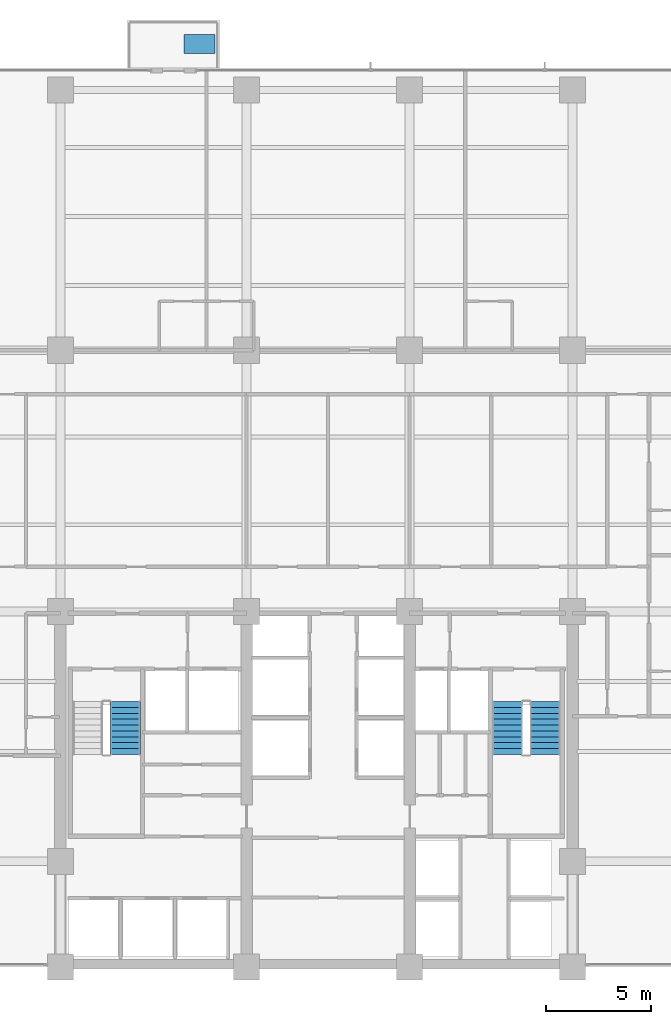
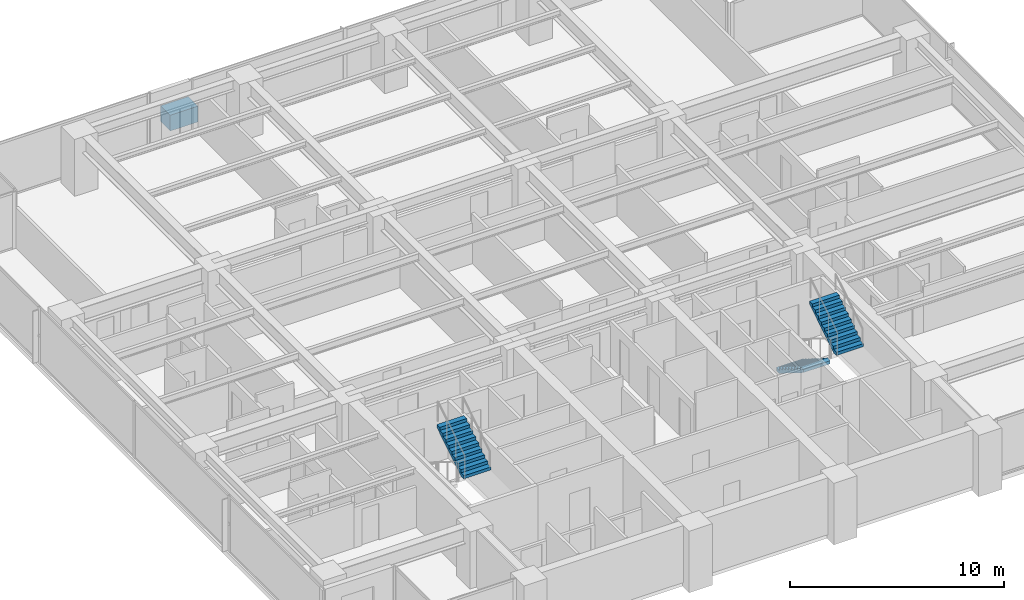
# One storey, part 12 of 17: 3 stair flights, 1 discrete accessory, 2 elements without a shape of their own.
"""IFC4 building model written with IfcOpenShell, lengths in metres."""

from ifc_helpers import new_model, si_unit, direction, frame, origin, place, context, subcontext, project, spatial, polyline, outline, extrude, material, layer, layer_set, type_object, element, aggregate, save


model = new_model("IFC4")

# Units and contexts
model_context = context("Model", 3, precision=1e-05, world=origin(), true_north=direction((0.0, 1.0)))
body_context = subcontext(model_context, "Body", "Model", "MODEL_VIEW")
ifc_project = project(units=[si_unit("LENGTHUNIT", "METRE"), si_unit("AREAUNIT", "SQUARE_METRE"), si_unit("VOLUMEUNIT", "CUBIC_METRE"), si_unit("PLANEANGLEUNIT", "RADIAN"), si_unit("MASSUNIT", "GRAM", prefix="KILO")], contexts=[model_context])

# Site, building, storey
site_placement = place(None, origin())
site = spatial("IfcSite", under=ifc_project, at=site_placement, CompositionType="ELEMENT")
building_placement = place(site_placement, origin())
building = spatial("IfcBuilding", under=site, at=building_placement, Name="Qalmaran Belvedere Hotel", CompositionType="ELEMENT")
storey_placement = place(building_placement, frame((0.0, 0.0, 116.199951171875)))
storey = spatial("IfcBuildingStorey", under=building, at=storey_placement, Name="L29", CompositionType="ELEMENT", Elevation=116.199951171875)

# Stair, stair flight
ifc_material = material(Name="Concrete C40/50", Category="concrete")
stair_type_1 = type_object("IfcStairType", Name="STR-ST-1-1450-R1750", PredefinedType="HALF_TURN_STAIR", material=ifc_material)
stair_1_placement = place(storey_placement, origin())
stair_1 = element("IfcStair", 1, at=stair_1_placement, inside=storey, type_object=stair_type_1, Name="L29 West Core Exit Stair ST-1", PredefinedType="HALF_TURN_STAIR")
ifc_layer_1 = layer(ifc_material, 0.14990234375, Name="Concrete C40/50")
ifc_layer_set_1 = layer_set([ifc_layer_1], Name="Concrete C40/50")
stair_flight_type_1 = type_object("IfcStairFlightType", Name="STF-ST-1-1450-R1750", PredefinedType="STRAIGHT", material=ifc_layer_set_1)
stair_flight_1_placement = place(storey_placement, frame((23.39501953125, 13.669921875, 1.75), z_axis=(0.0, 0.0, 1.0), x_axis=(0.0, 1.0, 0.0)))
stair_flight_1 = element("IfcStairFlight", 2, at=stair_flight_1_placement, type_object=stair_flight_type_1, Name="ST-1 flight 2", NumberOfRisers=10, NumberOfTreads=9, PredefinedType="STRAIGHT", RiserHeight=0.175, TreadLength=0.28, context=body_context, shape_type="SweptSolid", body=[
    extrude(outline(polyline([(0.0, 0.0), (0.0, 0.175048828125), (0.280029296875, 0.175048828125), (0.280029296875, 0.35009765625), (0.56005859375, 0.35009765625), (0.56005859375, 0.52490234375), (0.840087890625, 0.52490234375), (0.840087890625, 0.699951171875), (1.1201171875, 0.699951171875), (1.1201171875, 0.875), (1.39990234375, 0.875), (1.39990234375, 1.050048828125), (1.679931640625, 1.050048828125), (1.679931640625, 1.22509765625), (1.9599609375, 1.22509765625), (1.9599609375, 1.39990234375), (2.239990234375, 1.39990234375), (2.239990234375, 1.574951171875), (2.52001953125, 1.574951171875), (2.52001953125, 1.75), (2.52001953125, 1.398193359375), (0.28271484375, 0.0), (0.0, 0.0)])), frame((0.0, 0.72509765625, 0.0), z_axis=(0.0, -1.0, 0.0), x_axis=(1.0, 0.0, 0.0)), (0.0, 0.0, 1.0), 1.449951171875),
])
aggregate(stair_1, [stair_flight_1])

# Stair, stair flights
stair_type_2 = type_object("IfcStairType", Name="STR-ST-2-1450-R1750", PredefinedType="HALF_TURN_STAIR", material=ifc_material)
stair_2_placement = place(storey_placement, origin())
stair_2 = element("IfcStair", 3, at=stair_2_placement, inside=storey, type_object=stair_type_2, Name="L29 East Core Exit Stair ST-2", PredefinedType="HALF_TURN_STAIR")
ifc_layer_2 = layer(ifc_material, 0.14990234375, Name="Concrete C40/50")
ifc_layer_set_2 = layer_set([ifc_layer_2], Name="Concrete C40/50")
stair_flight_type_2 = type_object("IfcStairFlightType", Name="STF-ST-2-1450-R1750", PredefinedType="STRAIGHT", material=ifc_layer_set_2)
stair_flight_2_placement = place(storey_placement, frame((41.68505859375, 16.18994140625, 0.0), z_axis=(0.0, 0.0, 1.0), x_axis=(0.0, -1.0, 0.0)))
stair_flight_2 = element("IfcStairFlight", 4, at=stair_flight_2_placement, type_object=stair_flight_type_2, Name="ST-2 flight 1", NumberOfRisers=10, NumberOfTreads=9, PredefinedType="STRAIGHT", RiserHeight=0.175, TreadLength=0.28, context=body_context, shape_type="SweptSolid", body=[
    extrude(outline(polyline([(0.0, 0.0), (0.0, 0.175048828125), (0.280029296875, 0.175048828125), (0.280029296875, 0.35009765625), (0.56005859375, 0.35009765625), (0.56005859375, 0.52490234375), (0.840087890625, 0.52490234375), (0.840087890625, 0.699951171875), (1.1201171875, 0.699951171875), (1.1201171875, 0.875), (1.39990234375, 0.875), (1.39990234375, 1.050048828125), (1.679931640625, 1.050048828125), (1.679931640625, 1.22509765625), (1.9599609375, 1.22509765625), (1.9599609375, 1.39990234375), (2.239990234375, 1.39990234375), (2.239990234375, 1.574951171875), (2.52001953125, 1.574951171875), (2.52001953125, 1.75), (2.52001953125, 1.398193359375), (0.28271484375, 0.0), (0.0, 0.0)])), frame((0.0, 0.72509765625, 0.0), z_axis=(0.0, -1.0, 0.0), x_axis=(1.0, 0.0, 0.0)), (0.0, 0.0, 1.0), 1.449951171875),
])
stair_flight_3_placement = place(storey_placement, frame((43.47509765625, 13.669921875, 1.75), z_axis=(0.0, 0.0, 1.0), x_axis=(0.0, 1.0, 0.0)))
stair_flight_3 = element("IfcStairFlight", 5, at=stair_flight_3_placement, type_object=stair_flight_type_2, Name="ST-2 flight 2", NumberOfRisers=10, NumberOfTreads=9, PredefinedType="STRAIGHT", RiserHeight=0.175, TreadLength=0.28, context=body_context, shape_type="SweptSolid", body=[
    extrude(outline(polyline([(0.0, 0.0), (0.0, 0.175048828125), (0.280029296875, 0.175048828125), (0.280029296875, 0.35009765625), (0.56005859375, 0.35009765625), (0.56005859375, 0.52490234375), (0.840087890625, 0.52490234375), (0.840087890625, 0.699951171875), (1.1201171875, 0.699951171875), (1.1201171875, 0.875), (1.39990234375, 0.875), (1.39990234375, 1.050048828125), (1.679931640625, 1.050048828125), (1.679931640625, 1.22509765625), (1.9599609375, 1.22509765625), (1.9599609375, 1.39990234375), (2.239990234375, 1.39990234375), (2.239990234375, 1.574951171875), (2.52001953125, 1.574951171875), (2.52001953125, 1.75), (2.52001953125, 1.398193359375), (0.28271484375, 0.0), (0.0, 0.0)])), frame((0.0, 0.72509765625, 0.0), z_axis=(0.0, -1.0, 0.0), x_axis=(1.0, 0.0, 0.0)), (0.0, 0.0, 1.0), 1.449951171875),
])
aggregate(stair_2, [stair_flight_2, stair_flight_3])

# Discrete accessory
discrete_accessory_type = type_object("IfcDiscreteAccessoryType", Name="PLN-BAL-1500", PredefinedType="USERDEFINED", material=ifc_material)
discrete_accessory_placement = place(storey_placement, origin())
element("IfcDiscreteAccessory", 6, at=discrete_accessory_placement, inside=storey, type_object=discrete_accessory_type, Name="L29 Sky Tree Planter", ObjectType="PLANTER", PredefinedType="USERDEFINED", context=body_context, shape_type="SweptSolid", body=[
    extrude(outline(polyline([(26.199951171875, 47.199951171875), (27.699951171875, 47.199951171875), (27.699951171875, 48.10009765625), (26.199951171875, 48.10009765625), (26.199951171875, 47.199951171875)])), origin(), (0.0, 0.0, 1.0), 0.900146484375),
])

save(model, "model.ifc")
